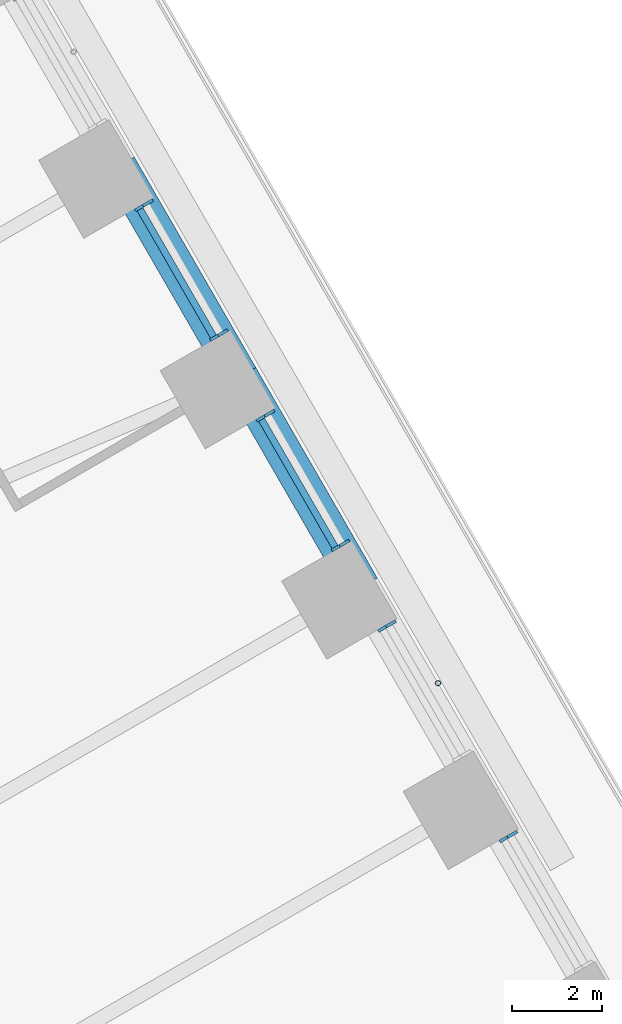
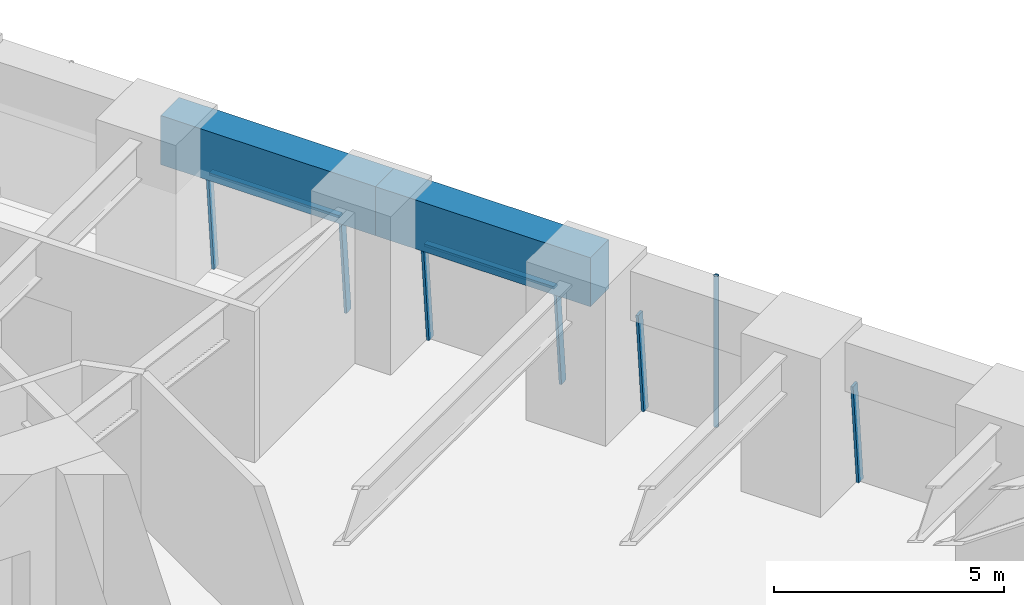
# One storey, part 13 of 23: 9 members, 2 beams, 4 elements without a shape of their own.
"""IFC4 building model written with IfcOpenShell, lengths in metres."""

from ifc_helpers import new_model, si_unit, direction, frame, origin, origin_2d, place, context, subcontext, project, spatial, rectangle, hollow_circle, extrude, material, material_profile, profile_set, type_object, element, aggregate, save


model = new_model("IFC4")

# Units and contexts
model_context = context("Model", 3, precision=1e-05, world=origin(), true_north=direction((0.0, 1.0)))
body_context = subcontext(model_context, "Body", "Model", "MODEL_VIEW")
ifc_project = project(units=[si_unit("LENGTHUNIT", "METRE"), si_unit("AREAUNIT", "SQUARE_METRE"), si_unit("VOLUMEUNIT", "CUBIC_METRE"), si_unit("PLANEANGLEUNIT", "RADIAN"), si_unit("MASSUNIT", "GRAM", prefix="KILO")], contexts=[model_context])

# Site, building, storey
site_placement = place(None, origin())
site = spatial("IfcSite", under=ifc_project, at=site_placement, CompositionType="ELEMENT")
building_placement = place(site_placement, origin())
building = spatial("IfcBuilding", under=site, at=building_placement, Name="Tarfa Lantern Tower", CompositionType="ELEMENT")
storey_placement = place(building_placement, frame((0.0, 0.0, 61.300048828125)))
storey = spatial("IfcBuildingStorey", under=building, at=storey_placement, Name="L13", CompositionType="ELEMENT", Elevation=61.300048828125)

# Curtain wall, member
ifc_material_1 = material(Name="Aluminium framed curtain wall", Category="aluminium")
curtain_wall_type = type_object("IfcCurtainWallType", Name="CW1 CANTED GLAZING LOW ZONE 2700", PredefinedType="USERDEFINED", material=ifc_material_1)
curtain_wall_1_placement = place(storey_placement, origin())
curtain_wall_1 = element("IfcCurtainWall", 1, at=curtain_wall_1_placement, inside=storey, type_object=curtain_wall_type, Name="CW1 NE L13", ObjectType="CURTAIN WALL", PredefinedType="USERDEFINED")
ifc_material_2 = material(Name="Aluminium mullion", Category="aluminium")
ifc_material_profile_1 = material_profile(ifc_material_2, rectangle(XDim=0.06494140625, YDim=0.199951171875, at=origin_2d()), Name="AL MULLION 65x200")
ifc_profile_set_1 = profile_set([ifc_material_profile_1], Name="Aluminium mullion")
member_type_1 = type_object("IfcMemberType", Name="CWM1 MULLION 65x200", PredefinedType="MULLION", material=ifc_profile_set_1)
member_1_placement = place(storey_placement, frame((35.26318359375, 6.722412109375, 0.0), z_axis=(-0.07986442134, -0.046099868913, 0.99573916077), x_axis=(0.499919672301, -0.866071776036, 0.0)))
member_1 = element("IfcMember", 2, at=member_1_placement, type_object=member_type_1, Name="CW1 mullion 2", PredefinedType="MULLION", context=body_context, shape_type="SweptSolid", body=[
    extrude(rectangle(XDim=0.06494140625, YDim=0.199951171875, at=origin_2d()), origin(), (0.0, 0.0, 1.0), 2.71142578125),
])
aggregate(curtain_wall_1, [member_1])

curtain_wall_2_placement = place(storey_placement, origin())
curtain_wall_2 = element("IfcCurtainWall", 3, at=curtain_wall_2_placement, inside=storey, type_object=curtain_wall_type, Name="CW1 NE L13", ObjectType="CURTAIN WALL", PredefinedType="USERDEFINED")
member_2_placement = place(storey_placement, frame((32.56884765625, 11.38916015625, 0.0), z_axis=(-0.07986442134, -0.046099868913, 0.99573916077), x_axis=(0.499919672301, -0.866071776036, 0.0)))
member_2 = element("IfcMember", 4, at=member_2_placement, type_object=member_type_1, Name="CW1 mullion 2", PredefinedType="MULLION", context=body_context, shape_type="SweptSolid", body=[
    extrude(rectangle(XDim=0.06494140625, YDim=0.199951171875, at=origin_2d()), origin(), (0.0, 0.0, 1.0), 2.71142578125),
])
aggregate(curtain_wall_2, [member_2])

# Curtain wall, members
curtain_wall_3_placement = place(storey_placement, origin())
curtain_wall_3 = element("IfcCurtainWall", 5, at=curtain_wall_3_placement, inside=storey, type_object=curtain_wall_type, Name="CW1 NE L13", ObjectType="CURTAIN WALL", PredefinedType="USERDEFINED")
member_3_placement = place(storey_placement, frame((31.536376953125, 13.177490234375, 0.0), z_axis=(-0.07986442134, -0.046099868913, 0.99573916077), x_axis=(0.499919672301, -0.866071776036, 0.0)))
member_3 = element("IfcMember", 6, at=member_3_placement, type_object=member_type_1, Name="CW1 mullion 1", PredefinedType="MULLION", context=body_context, shape_type="SweptSolid", body=[
    extrude(rectangle(XDim=0.06494140625, YDim=0.199951171875, at=origin_2d()), origin(), (0.0, 0.0, 1.0), 2.71142578125),
])
member_4_placement = place(storey_placement, frame((29.87451171875, 16.055908203125, 0.0), z_axis=(-0.07986442134, -0.046099868913, 0.99573916077), x_axis=(0.499919672301, -0.866071776036, 0.0)))
member_4 = element("IfcMember", 7, at=member_4_placement, type_object=member_type_1, Name="CW1 mullion 2", PredefinedType="MULLION", context=body_context, shape_type="SweptSolid", body=[
    extrude(rectangle(XDim=0.06494140625, YDim=0.199951171875, at=origin_2d()), origin(), (0.0, 0.0, 1.0), 2.71142578125),
])

curtain_wall_4_placement = place(storey_placement, origin())
curtain_wall_4 = element("IfcCurtainWall", 8, at=curtain_wall_4_placement, inside=storey, type_object=curtain_wall_type, Name="CW1 NE L13", ObjectType="CURTAIN WALL", PredefinedType="USERDEFINED")
member_5_placement = place(storey_placement, frame((28.842041015625, 17.84423828125, 0.0), z_axis=(-0.07986442134, -0.046099868913, 0.99573916077), x_axis=(0.499919672301, -0.866071776036, 0.0)))
member_5 = element("IfcMember", 9, at=member_5_placement, type_object=member_type_1, Name="CW1 mullion 1", PredefinedType="MULLION", context=body_context, shape_type="SweptSolid", body=[
    extrude(rectangle(XDim=0.06494140625, YDim=0.199951171875, at=origin_2d()), origin(), (0.0, 0.0, 1.0), 2.71142578125),
])
member_6_placement = place(storey_placement, frame((27.18017578125, 20.722412109375, 0.0), z_axis=(-0.07986442134, -0.046099868913, 0.99573916077), x_axis=(0.499919672301, -0.866071776036, 0.0)))
member_6 = element("IfcMember", 10, at=member_6_placement, type_object=member_type_1, Name="CW1 mullion 2", PredefinedType="MULLION", context=body_context, shape_type="SweptSolid", body=[
    extrude(rectangle(XDim=0.06494140625, YDim=0.199951171875, at=origin_2d()), origin(), (0.0, 0.0, 1.0), 2.71142578125),
])

# Member
ifc_material_3 = material(Name="Aluminium transom", Category="aluminium")
ifc_material_profile_2 = material_profile(ifc_material_3, rectangle(XDim=0.14990234375, YDim=0.06494140625, at=origin_2d()), Name="AL TRANSOM 150x65")
ifc_profile_set_2 = profile_set([ifc_material_profile_2], Name="Aluminium transom")
member_type_2 = type_object("IfcMemberType", Name="CWT1 TRANSOM 150x65", PredefinedType="USERDEFINED", material=ifc_profile_set_2)
member_7_placement = place(storey_placement, frame((31.30615234375, 13.082275390625, 2.66748046875), z_axis=(-0.500022939057, 0.866012159509, 0.0), x_axis=(-0.866012159509, -0.500022939057, 0.0)))
member_7 = element("IfcMember", 11, at=member_7_placement, type_object=member_type_2, Name="CW1 transom 1.2", ObjectType="TRANSOM", PredefinedType="USERDEFINED", context=body_context, shape_type="SweptSolid", body=[
    extrude(rectangle(XDim=0.14990234375, YDim=0.06494140625, at=origin_2d()), origin(), (0.0, 0.0, 1.0), 3.258544921875),
])

aggregate(curtain_wall_3, [member_3, member_4, member_7])

member_8_placement = place(storey_placement, frame((28.61181640625, 17.748779296875, 2.66748046875), z_axis=(-0.499966746847, 0.86604460165, 0.0), x_axis=(-0.86604460165, -0.499966746847, 0.0)))
member_8 = element("IfcMember", 12, at=member_8_placement, type_object=member_type_2, Name="CW1 transom 1.2", ObjectType="TRANSOM", PredefinedType="USERDEFINED", context=body_context, shape_type="SweptSolid", body=[
    extrude(rectangle(XDim=0.14990234375, YDim=0.06494140625, at=origin_2d()), origin(), (0.0, 0.0, 1.0), 3.258544921875),
])

aggregate(curtain_wall_4, [member_5, member_6, member_8])

# Beams
ifc_material_4 = material(Name="Concrete C80/95", Category="concrete")
ifc_material_profile_3 = material_profile(ifc_material_4, rectangle(XDim=0.800048828125, YDim=1.300048828125, at=origin_2d()), Name="RC 800x1300")
ifc_profile_set_3 = profile_set([ifc_material_profile_3], Name="Concrete C80/95")
beam_type = type_object("IfcBeamType", Name="EB1 RC 800x1300", PredefinedType="SPANDREL", material=ifc_profile_set_3)
beam_1_placement = place(storey_placement, frame((31.896728515625, 12.193359375, 3.349853515625), z_axis=(-0.499998287579, 0.866026392449, 0.0), x_axis=(-0.866026392449, -0.499998287579, 0.0)))
element("IfcBeam", 13, at=beam_1_placement, inside=storey, type_object=beam_type, Name="Edge beam NE2", PredefinedType="SPANDREL", context=body_context, shape_type="SweptSolid", body=[
    extrude(rectangle(XDim=0.800048828125, YDim=1.300048828125, at=origin_2d()), origin(), (0.0, 0.0, 1.0), 5.388671875),
])
beam_2_placement = place(storey_placement, frame((29.202392578125, 16.860107421875, 3.349853515625), z_axis=(-0.500017906299, 0.866015065331, 0.0), x_axis=(-0.866015065331, -0.500017906299, 0.0)))
element("IfcBeam", 14, at=beam_2_placement, inside=storey, type_object=beam_type, Name="Edge beam NE3", PredefinedType="SPANDREL", context=body_context, shape_type="SweptSolid", body=[
    extrude(rectangle(XDim=0.800048828125, YDim=1.300048828125, at=origin_2d()), origin(), (0.0, 0.0, 1.0), 5.388427734375),
])

# Member
ifc_material_5 = material(Name="Steel S355", Category="steel")
ifc_material_profile_4 = material_profile(ifc_material_5, hollow_circle(Radius=0.05712890625, WallThickness=0.00634765625, at=origin_2d()), Name="CHS114.3x6.3")
ifc_profile_set_4 = profile_set([ifc_material_profile_4], Name="Steel S355")
member_type_3 = type_object("IfcMemberType", Name="TR1 GREEN WALL TRELLIS CHS114.3x6.3", PredefinedType="USERDEFINED", material=ifc_profile_set_4)
member_9_placement = place(storey_placement, frame((33.59033203125, 10.06005859375, 0.0), z_axis=(0.0, 0.0, 1.0), x_axis=(1.0, 0.0, 0.0)))
element("IfcMember", 15, at=member_9_placement, inside=storey, type_object=member_type_3, Name="Trellis post NE 1", ObjectType="TRELLIS", PredefinedType="USERDEFINED", context=body_context, shape_type="SweptSolid", body=[
    extrude(hollow_circle(Radius=0.05712890625, WallThickness=0.00634765625, at=origin_2d()), origin(), (0.0, 0.0, 1.0), 4.0),
])

save(model, "model.ifc")
